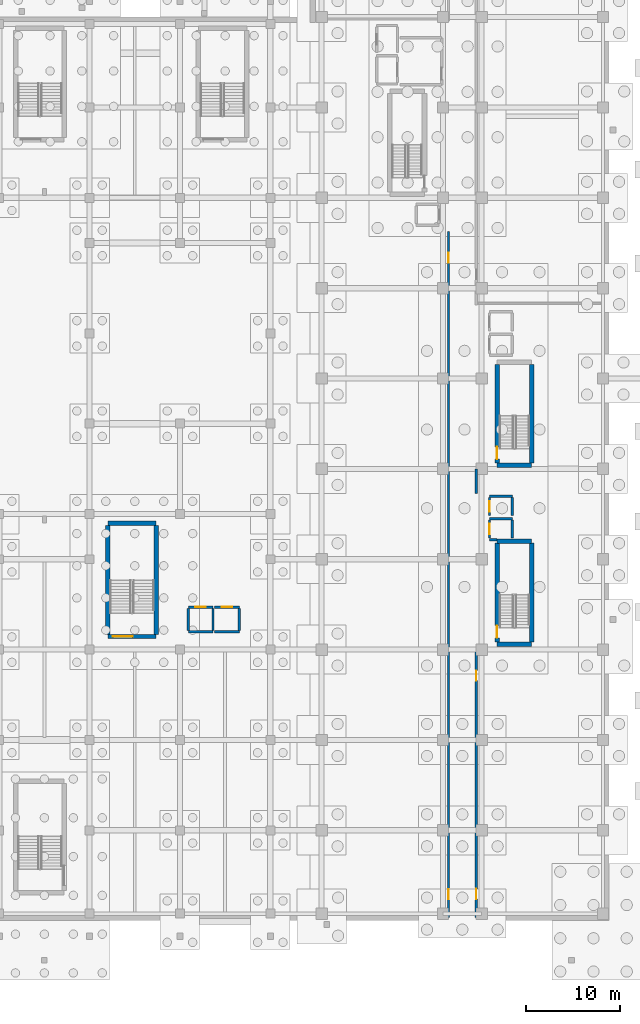
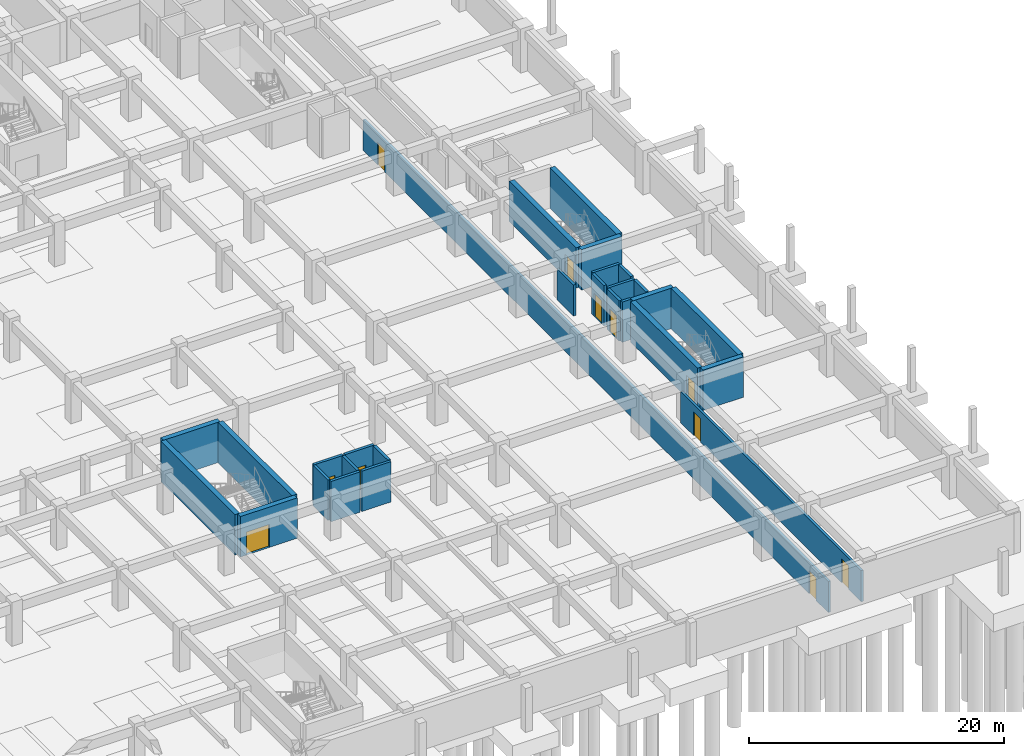
# One storey, part 20 of 39: 28 walls, 11 doors, 11 openings.
"""IFC4 building model written with IfcOpenShell, lengths in metres."""

from ifc_helpers import new_model, si_unit, direction, frame, frame_2d, origin, place, context, subcontext, project, spatial, rectangle, extrude, material, layer, layer_set, type_object, element, fill, save


model = new_model("IFC4")

# Units and contexts
model_context = context("Model", 3, precision=1e-05, world=origin(), true_north=direction((0.0, 1.0)))
body_context = subcontext(model_context, "Body", "Model", "MODEL_VIEW")
ifc_project = project(units=[si_unit("LENGTHUNIT", "METRE"), si_unit("AREAUNIT", "SQUARE_METRE"), si_unit("VOLUMEUNIT", "CUBIC_METRE"), si_unit("PLANEANGLEUNIT", "RADIAN"), si_unit("MASSUNIT", "GRAM", prefix="KILO")], contexts=[model_context])

# Site, building, storey
site_placement = place(None, origin())
site = spatial("IfcSite", under=ifc_project, at=site_placement, CompositionType="ELEMENT")
building_placement = place(site_placement, origin())
building = spatial("IfcBuilding", under=site, at=building_placement, Name="Nakhvara Creek Congress Hotel", CompositionType="ELEMENT")
storey_placement = place(building_placement, frame((0.0, 0.0, -8.39990234375)))
storey = spatial("IfcBuildingStorey", under=building, at=storey_placement, Name="B2", CompositionType="ELEMENT", Elevation=-8.39990234375)

# Walls
ifc_material_1 = material(Name="Concrete C50/60", Category="concrete")
ifc_layer_1 = layer(ifc_material_1, 0.449951171875)
ifc_layer_set_1 = layer_set([ifc_layer_1], Name="Concrete C50/60")
wall_type_1 = type_object("IfcWallType", Name="W-CORE-450", PredefinedType="SHEAR", material=ifc_layer_set_1)
for number, where, z_axis, x_axis, name in (
    (1, (168.10009765625, 29.3798828125, 0.0), (0.0, 0.0, 1.0), (1.0, 0.0, 0.0), "Core Shear Wall WS02-CWALL-B2-0534"),
    (2, (168.10009765625, 40.320068359375, 0.0), (0.0, 0.0, 1.0), (1.0, 0.0, 0.0), "Core Shear Wall WS02-CWALL-B2-0535"),
):
    element("IfcWall", number, at=place(storey_placement, frame(where, z_axis=z_axis, x_axis=x_axis)), inside=storey, type_object=wall_type_1, Name=name, PredefinedType="SHEAR", context=body_context, shape_type="SweptSolid", body=[
        extrude(rectangle(XDim=3.669921875, YDim=0.449951171875, at=frame_2d((1.8349609375, 0.0))), origin(), (0.0, 0.0, 1.0), 3.85986328125),
    ])

# Wall, opening, door
wall_1_placement = place(storey_placement, frame((168.10009765625, 29.60009765625, 0.0), z_axis=(0.0, 0.0, 1.0), x_axis=(0.0, 1.0, 0.0)))
wall_1 = element("IfcWall", 3, at=wall_1_placement, inside=storey, type_object=wall_type_1, Name="Core Shear Wall WS02-CWALL-B2-0536", PredefinedType="SHEAR", context=body_context, shape_type="SweptSolid", body=[
    extrude(rectangle(XDim=10.5, YDim=0.449951171875, at=frame_2d((5.25, 0.0))), origin(), (0.0, 0.0, 1.0), 3.85986328125),
])
opening_1_placement = place(wall_1_placement, frame((0.449951171875, 0.0, 0.0)))
opening_1 = element("IfcOpeningElement", 4, at=opening_1_placement, cuts=wall_1, Name="Opening FD04", PredefinedType="OPENING", context=body_context, shape_type="SweptSolid", body=[
    extrude(rectangle(XDim=1.300048828125, YDim=2.14990234375, at=frame_2d((0.64990234375, 1.074951171875))), frame((0.0, 0.23681640625, 0.0), z_axis=(0.0, -1.0, 0.0), x_axis=(1.0, 0.0, 0.0)), (0.0, 0.0, 1.0), 0.473876953125),
])
ifc_material_2 = material(Name="Powder-coated steel fire door", Category="steel")
door_type_1 = type_object("IfcDoorType", Name="DT-STAIR-130", OperationType="NOTDEFINED", PredefinedType="DOOR", material=ifc_material_2)
door_1_placement = place(opening_1_placement, origin())
door_1 = element("IfcDoor", 5, at=door_1_placement, inside=storey, type_object=door_type_1, Name="Stair Exit Door ST03-B2", OperationType="SINGLE_SWING_LEFT", OverallHeight=2.14990234375, OverallWidth=1.300048828125, PredefinedType="DOOR", context=body_context, shape_type="SweptSolid", body=[
    extrude(rectangle(XDim=1.300048828125, YDim=2.14990234375, at=frame_2d((0.64990234375, 1.074951171875))), frame((0.0, 0.02490234375, 0.0), z_axis=(0.0, -1.0, 0.0), x_axis=(1.0, 0.0, 0.0)), (0.0, 0.0, 1.0), 0.050048828125),
])
fill(opening_1, door_1)

# Walls
wall_2_placement = place(storey_placement, frame((171.77001953125, 29.60009765625, 0.0), z_axis=(0.0, 0.0, 1.0), x_axis=(0.0, 1.0, 0.0)))
element("IfcWall", 6, at=wall_2_placement, inside=storey, type_object=wall_type_1, Name="Core Shear Wall WS02-CWALL-B2-0537", PredefinedType="SHEAR", context=body_context, shape_type="SweptSolid", body=[
    extrude(rectangle(XDim=10.5, YDim=0.449951171875, at=frame_2d((5.25, 0.0))), origin(), (0.0, 0.0, 1.0), 3.85986328125),
])
wall_3_placement = place(storey_placement, frame((168.10009765625, 48.3798828125, 0.0), z_axis=(0.0, 0.0, 1.0), x_axis=(1.0, 0.0, 0.0)))
element("IfcWall", 7, at=wall_3_placement, inside=storey, type_object=wall_type_1, Name="Core Shear Wall WS02-CWALL-B2-0621", PredefinedType="SHEAR", context=body_context, shape_type="SweptSolid", body=[
    extrude(rectangle(XDim=3.669921875, YDim=0.449951171875, at=frame_2d((1.8349609375, 0.0))), origin(), (0.0, 0.0, 1.0), 3.85986328125),
])

# Wall, opening, door
wall_4_placement = place(storey_placement, frame((168.10009765625, 48.60009765625, 0.0), z_axis=(0.0, 0.0, 1.0), x_axis=(0.0, 1.0, 0.0)))
wall_4 = element("IfcWall", 8, at=wall_4_placement, inside=storey, type_object=wall_type_1, Name="Core Shear Wall WS02-CWALL-B2-0623", PredefinedType="SHEAR", context=body_context, shape_type="SweptSolid", body=[
    extrude(rectangle(XDim=10.5, YDim=0.449951171875, at=frame_2d((5.25, 0.0))), origin(), (0.0, 0.0, 1.0), 3.85986328125),
])
opening_2_placement = place(wall_4_placement, frame((0.449951171875, 0.0, 0.0)))
opening_2 = element("IfcOpeningElement", 9, at=opening_2_placement, cuts=wall_4, Name="Opening FD04", PredefinedType="OPENING", context=body_context, shape_type="SweptSolid", body=[
    extrude(rectangle(XDim=1.300048828125, YDim=2.14990234375, at=frame_2d((0.64990234375, 1.074951171875))), frame((0.0, 0.23681640625, 0.0), z_axis=(0.0, -1.0, 0.0), x_axis=(1.0, 0.0, 0.0)), (0.0, 0.0, 1.0), 0.473876953125),
])
door_2_placement = place(opening_2_placement, origin())
door_2 = element("IfcDoor", 10, at=door_2_placement, inside=storey, type_object=door_type_1, Name="Stair Exit Door ST04-B2", OperationType="SINGLE_SWING_LEFT", OverallHeight=2.14990234375, OverallWidth=1.300048828125, PredefinedType="DOOR", context=body_context, shape_type="SweptSolid", body=[
    extrude(rectangle(XDim=1.300048828125, YDim=2.14990234375, at=frame_2d((0.64990234375, 1.074951171875))), frame((0.0, 0.02490234375, 0.0), z_axis=(0.0, -1.0, 0.0), x_axis=(1.0, 0.0, 0.0)), (0.0, 0.0, 1.0), 0.050048828125),
])
fill(opening_2, door_2)

# Wall
wall_5_placement = place(storey_placement, frame((171.77001953125, 48.60009765625, 0.0), z_axis=(0.0, 0.0, 1.0), x_axis=(0.0, 1.0, 0.0)))
element("IfcWall", 11, at=wall_5_placement, inside=storey, type_object=wall_type_1, Name="Core Shear Wall WS02-CWALL-B2-0624", PredefinedType="SHEAR", context=body_context, shape_type="SweptSolid", body=[
    extrude(rectangle(XDim=10.5, YDim=0.449951171875, at=frame_2d((5.25, 0.0))), origin(), (0.0, 0.0, 1.0), 3.85986328125),
])

# Wall, opening, door
wall_6_placement = place(storey_placement, frame((126.72998046875, 30.179931640625, 0.0), z_axis=(0.0, 0.0, 1.0), x_axis=(1.0, 0.0, 0.0)))
wall_6 = element("IfcWall", 12, at=wall_6_placement, inside=storey, type_object=wall_type_1, Name="Core Shear Wall WS02-CWALL-B2-0781", PredefinedType="SHEAR", context=body_context, shape_type="SweptSolid", body=[
    extrude(rectangle(XDim=5.14990234375, YDim=0.449951171875, at=frame_2d((2.574951171875, 0.0))), origin(), (0.0, 0.0, 1.0), 3.85986328125),
])
opening_3_placement = place(wall_6_placement, frame((0.550048828125, 0.0, 0.0)))
opening_3 = element("IfcOpeningElement", 13, at=opening_3_placement, cuts=wall_6, Name="Opening FD19", PredefinedType="OPENING", context=body_context, shape_type="SweptSolid", body=[
    extrude(rectangle(XDim=2.10009765625, YDim=2.199951171875, at=frame_2d((1.050048828125, 1.10009765625))), frame((0.0, 0.23681640625, 0.0), z_axis=(0.0, -1.0, 0.0), x_axis=(1.0, 0.0, 0.0)), (0.0, 0.0, 1.0), 0.473876953125),
])
ifc_material_3 = material(Name="Galvanised steel acoustic fire door", Category="steel")
door_type_2 = type_object("IfcDoorType", Name="DT-STAIR-220", OperationType="DOUBLE_DOOR_SINGLE_SWING", PredefinedType="DOOR", material=ifc_material_3)
door_3_placement = place(opening_3_placement, frame((2.10009765625, 0.0, 0.0), z_axis=(0.0, 0.0, 1.0), x_axis=(-1.0, 0.0, 0.0)))
door_3 = element("IfcDoor", 14, at=door_3_placement, inside=storey, type_object=door_type_2, Name="Stair Exit Door ST06-B2", OperationType="DOUBLE_DOOR_SINGLE_SWING", OverallHeight=2.199951171875, OverallWidth=2.10009765625, PredefinedType="DOOR", context=body_context, shape_type="SweptSolid", body=[
    extrude(rectangle(XDim=2.10009765625, YDim=2.199951171875, at=frame_2d((1.050048828125, 1.10009765625))), frame((0.0, 0.02490234375, 0.0), z_axis=(0.0, -1.0, 0.0), x_axis=(1.0, 0.0, 0.0)), (0.0, 0.0, 1.0), 0.050048828125),
])
fill(opening_3, door_3)

# Walls
wall_7_placement = place(storey_placement, frame((126.72998046875, 42.219970703125, 0.0), z_axis=(0.0, 0.0, 1.0), x_axis=(1.0, 0.0, 0.0)))
element("IfcWall", 15, at=wall_7_placement, inside=storey, type_object=wall_type_1, Name="Core Shear Wall WS02-CWALL-B2-0782", PredefinedType="SHEAR", context=body_context, shape_type="SweptSolid", body=[
    extrude(rectangle(XDim=5.14990234375, YDim=0.449951171875, at=frame_2d((2.574951171875, 0.0))), origin(), (0.0, 0.0, 1.0), 3.85986328125),
])
for number, where, z_axis, x_axis, name in (
    (16, (126.72998046875, 30.39990234375, 0.0), (0.0, 0.0, 1.0), (0.0, 1.0, 0.0), "Core Shear Wall WS02-CWALL-B2-0783"),
    (17, (131.8798828125, 30.39990234375, 0.0), (0.0, 0.0, 1.0), (0.0, 1.0, 0.0), "Core Shear Wall WS02-CWALL-B2-0784"),
):
    element("IfcWall", number, at=place(storey_placement, frame(where, z_axis=z_axis, x_axis=x_axis)), inside=storey, type_object=wall_type_1, Name=name, PredefinedType="SHEAR", context=body_context, shape_type="SweptSolid", body=[
        extrude(rectangle(XDim=11.60009765625, YDim=0.449951171875, at=frame_2d((5.800048828125, 0.0))), origin(), (0.0, 0.0, 1.0), 3.85986328125),
    ])

# Wall, openings, doors
ifc_material_4 = material(Name="Gypsum acoustic board on steel stud", Category="steel")
ifc_layer_2 = layer(ifc_material_4, 0.219970703125)
ifc_layer_set_2 = layer_set([ifc_layer_2], Name="Gypsum acoustic board on steel stud")
wall_type_2 = type_object("IfcWallType", Name="W-CORR-220", PredefinedType="PARTITIONING", material=ifc_layer_set_2)
wall_8_placement = place(storey_placement, frame((162.919921875, 0.35009765625, 0.0), z_axis=(0.0, 0.0, 1.0), x_axis=(0.0, 1.0, 0.0)))
wall_8 = element("IfcWall", 18, at=wall_8_placement, inside=storey, type_object=wall_type_2, Name="Interior Wall WP11-IW-B2-0027", PredefinedType="PARTITIONING", context=body_context, shape_type="SweptSolid", body=[
    extrude(rectangle(XDim=72.849853515625, YDim=0.219970703125, at=frame_2d((36.4248046875, 0.0))), origin(), (0.0, 0.0, 1.0), 2.971923828125),
])
opening_4_placement = place(wall_8_placement, frame((1.949951171875, 0.0, 0.0)))
opening_4 = element("IfcOpeningElement", 19, at=opening_4_placement, cuts=wall_8, Name="Opening ID04", PredefinedType="OPENING", context=body_context, shape_type="SweptSolid", body=[
    extrude(rectangle(XDim=1.050048828125, YDim=2.179931640625, at=frame_2d((0.52490234375, 1.08984375))), frame((0.0, 0.1220703125, 0.0), z_axis=(0.0, -1.0, 0.0), x_axis=(1.0, 0.0, 0.0)), (0.0, 0.0, 1.0), 0.243896484375),
])
opening_5_placement = place(wall_8_placement, frame((69.550048828125, 0.0, 0.0)))
opening_5 = element("IfcOpeningElement", 20, at=opening_5_placement, cuts=wall_8, Name="Opening ID04", PredefinedType="OPENING", context=body_context, shape_type="SweptSolid", body=[
    extrude(rectangle(XDim=1.050048828125, YDim=2.179931640625, at=frame_2d((0.52490234375, 1.08984375))), frame((0.0, 0.1220703125, 0.0), z_axis=(0.0, -1.0, 0.0), x_axis=(1.0, 0.0, 0.0)), (0.0, 0.0, 1.0), 0.243896484375),
])
ifc_material_5 = material(Name="Teak timber & frosted glass spa door", Category="wood")
door_type_3 = type_object("IfcDoorType", Name="DT-SPA-105", OperationType="NOTDEFINED", PredefinedType="DOOR", material=ifc_material_5)
door_4_placement = place(opening_4_placement, frame((1.050048828125, 0.0, 0.0), z_axis=(0.0, 0.0, 1.0), x_axis=(-1.0, 0.0, 0.0)))
door_4 = element("IfcDoor", 21, at=door_4_placement, inside=storey, type_object=door_type_3, Name="Interior Door ID04-0033", OperationType="SINGLE_SWING_RIGHT", OverallHeight=2.179931640625, OverallWidth=1.050048828125, PredefinedType="DOOR", context=body_context, shape_type="SweptSolid", body=[
    extrude(rectangle(XDim=1.050048828125, YDim=2.179931640625, at=frame_2d((0.52490234375, 1.08984375))), frame((0.0, 0.02490234375, 0.0), z_axis=(0.0, -1.0, 0.0), x_axis=(1.0, 0.0, 0.0)), (0.0, 0.0, 1.0), 0.050048828125),
])
fill(opening_4, door_4)
door_5_placement = place(opening_5_placement, frame((1.050048828125, 0.0, 0.0), z_axis=(0.0, 0.0, 1.0), x_axis=(-1.0, 0.0, 0.0)))
door_5 = element("IfcDoor", 22, at=door_5_placement, inside=storey, type_object=door_type_3, Name="Interior Door ID04-0034", OperationType="SINGLE_SWING_LEFT", OverallHeight=2.179931640625, OverallWidth=1.050048828125, PredefinedType="DOOR", context=body_context, shape_type="SweptSolid", body=[
    extrude(rectangle(XDim=1.050048828125, YDim=2.179931640625, at=frame_2d((0.52490234375, 1.08984375))), frame((0.0, 0.02490234375, 0.0), z_axis=(0.0, -1.0, 0.0), x_axis=(1.0, 0.0, 0.0)), (0.0, 0.0, 1.0), 0.050048828125),
])
fill(opening_5, door_5)

wall_9_placement = place(storey_placement, frame((165.8798828125, 0.35009765625, 0.0), z_axis=(0.0, 0.0, 1.0), x_axis=(0.0, 1.0, 0.0)))
wall_9 = element("IfcWall", 23, at=wall_9_placement, inside=storey, type_object=wall_type_2, Name="Interior Wall WP11-IW-B2-0030", PredefinedType="PARTITIONING", context=body_context, shape_type="SweptSolid", body=[
    extrude(rectangle(XDim=28.25, YDim=0.219970703125, at=frame_2d((14.125, 0.0))), origin(), (0.0, 0.0, 1.0), 2.971923828125),
])
opening_6_placement = place(wall_9_placement, frame((1.949951171875, 0.0, 0.0)))
opening_6 = element("IfcOpeningElement", 24, at=opening_6_placement, cuts=wall_9, Name="Opening GD02", PredefinedType="OPENING", context=body_context, shape_type="SweptSolid", body=[
    extrude(rectangle(XDim=1.080078125, YDim=2.25, at=frame_2d((0.5400390625, 1.125))), frame((0.0, 0.1220703125, 0.0), z_axis=(0.0, -1.0, 0.0), x_axis=(1.0, 0.0, 0.0)), (0.0, 0.0, 1.0), 0.243896484375),
])
opening_7_placement = place(wall_9_placement, frame((25.14990234375, 0.0, 0.0)))
opening_7 = element("IfcOpeningElement", 25, at=opening_7_placement, cuts=wall_9, Name="Opening GD02", PredefinedType="OPENING", context=body_context, shape_type="SweptSolid", body=[
    extrude(rectangle(XDim=1.080078125, YDim=2.25, at=frame_2d((0.5400390625, 1.125))), frame((0.0, 0.1220703125, 0.0), z_axis=(0.0, -1.0, 0.0), x_axis=(1.0, 0.0, 0.0)), (0.0, 0.0, 1.0), 0.243896484375),
])
ifc_material_6 = material(Name="Walnut hardwood timber fire door", Category="wood")
door_type_4 = type_object("IfcDoorType", Name="DT-GUEST-108", OperationType="NOTDEFINED", PredefinedType="DOOR", material=ifc_material_6)
door_6_placement = place(opening_6_placement, origin())
door_6 = element("IfcDoor", 26, at=door_6_placement, inside=storey, type_object=door_type_4, Name="Interior Door GD02-0035", OperationType="SINGLE_SWING_RIGHT", OverallHeight=2.25, OverallWidth=1.080078125, PredefinedType="DOOR", context=body_context, shape_type="SweptSolid", body=[
    extrude(rectangle(XDim=1.080078125, YDim=2.25, at=frame_2d((0.5400390625, 1.125))), frame((0.0, 0.02490234375, 0.0), z_axis=(0.0, -1.0, 0.0), x_axis=(1.0, 0.0, 0.0)), (0.0, 0.0, 1.0), 0.050048828125),
])
fill(opening_6, door_6)
door_7_placement = place(opening_7_placement, origin())
door_7 = element("IfcDoor", 27, at=door_7_placement, inside=storey, type_object=door_type_4, Name="Interior Door GD02-0036", OperationType="SINGLE_SWING_LEFT", OverallHeight=2.25, OverallWidth=1.080078125, PredefinedType="DOOR", context=body_context, shape_type="SweptSolid", body=[
    extrude(rectangle(XDim=1.080078125, YDim=2.25, at=frame_2d((0.5400390625, 1.125))), frame((0.0, 0.02490234375, 0.0), z_axis=(0.0, -1.0, 0.0), x_axis=(1.0, 0.0, 0.0)), (0.0, 0.0, 1.0), 0.050048828125),
])
fill(opening_7, door_7)

# Walls
wall_10_placement = place(storey_placement, frame((165.8798828125, 45.39990234375, 0.0), z_axis=(0.0, 0.0, 1.0), x_axis=(0.0, 1.0, 0.0)))
element("IfcWall", 28, at=wall_10_placement, inside=storey, type_object=wall_type_2, Name="Interior Wall WP11-IW-B2-0031", PredefinedType="PARTITIONING", context=body_context, shape_type="SweptSolid", body=[
    extrude(rectangle(XDim=2.60009765625, YDim=0.219970703125, at=frame_2d((1.300048828125, 0.0))), origin(), (0.0, 0.0, 1.0), 2.971923828125),
])
ifc_material_7 = material(Name="Concrete C40/50", Category="concrete")
ifc_layer_3 = layer(ifc_material_7, 0.25)
ifc_layer_set_3 = layer_set([ifc_layer_3], Name="Concrete C40/50")
wall_type_3 = type_object("IfcWallType", Name="W-SHAFT-250", PredefinedType="SOLIDWALL", material=ifc_layer_set_3)
wall_11_placement = place(storey_placement, frame((167.2900390625, 40.489990234375, 0.0), z_axis=(0.0, 0.0, 1.0), x_axis=(1.0, 0.0, 0.0)))
element("IfcWall", 29, at=wall_11_placement, inside=storey, type_object=wall_type_3, Name="Core Shear Wall WI02-CWALL-B2-0538", PredefinedType="SOLIDWALL", context=body_context, shape_type="SweptSolid", body=[
    extrude(rectangle(XDim=0.800048828125, YDim=0.25, at=frame_2d((0.39990234375, 0.0))), origin(), (0.0, 0.0, 1.0), 3.85986328125),
])
wall_12_placement = place(storey_placement, frame((167.2900390625, 42.7099609375, 0.0), z_axis=(0.0, 0.0, 1.0), x_axis=(1.0, 0.0, 0.0)))
element("IfcWall", 30, at=wall_12_placement, inside=storey, type_object=wall_type_3, Name="Core Shear Wall WI02-CWALL-B2-0539", PredefinedType="SOLIDWALL", context=body_context, shape_type="SweptSolid", body=[
    extrude(rectangle(XDim=2.419921875, YDim=0.25, at=frame_2d((1.2099609375, 0.0))), origin(), (0.0, 0.0, 1.0), 3.85986328125),
])

# Wall, opening, door
wall_13_placement = place(storey_placement, frame((167.2900390625, 40.64990234375, 0.0), z_axis=(0.0, 0.0, 1.0), x_axis=(0.0, 1.0, 0.0)))
wall_13 = element("IfcWall", 31, at=wall_13_placement, inside=storey, type_object=wall_type_3, Name="Core Shear Wall WI02-CWALL-B2-0540", PredefinedType="SOLIDWALL", context=body_context, shape_type="SweptSolid", body=[
    extrude(rectangle(XDim=1.900146484375, YDim=0.25, at=frame_2d((0.9501953125, 0.0))), origin(), (0.0, 0.0, 1.0), 3.85986328125),
])
opening_8_placement = place(wall_13_placement, frame((0.39990234375, 0.0, 0.0)))
opening_8 = element("IfcOpeningElement", 32, at=opening_8_placement, cuts=wall_13, Name="Opening LD01", PredefinedType="OPENING", context=body_context, shape_type="SweptSolid", body=[
    extrude(rectangle(XDim=1.10009765625, YDim=2.199951171875, at=frame_2d((0.550048828125, 1.10009765625))), frame((0.0, 0.136962890625, 0.0), z_axis=(0.0, -1.0, 0.0), x_axis=(1.0, 0.0, 0.0)), (0.0, 0.0, 1.0), 0.27392578125),
])
ifc_material_8 = material(Name="Brushed stainless steel sliding landing door", Category="steel")
door_type_5 = type_object("IfcDoorType", Name="DT-LIFT-110", OperationType="DOUBLE_DOOR_SLIDING", PredefinedType="DOOR", material=ifc_material_8)
door_8_placement = place(opening_8_placement, origin())
door_8 = element("IfcDoor", 33, at=door_8_placement, inside=storey, type_object=door_type_5, Name="Landing Door PL03-B2", OperationType="SLIDING_TO_LEFT", OverallHeight=2.199951171875, OverallWidth=1.10009765625, PredefinedType="DOOR", context=body_context, shape_type="SweptSolid", body=[
    extrude(rectangle(XDim=1.10009765625, YDim=2.199951171875, at=frame_2d((0.550048828125, 1.10009765625))), frame((0.0, 0.02490234375, 0.0), z_axis=(0.0, -1.0, 0.0), x_axis=(1.0, 0.0, 0.0)), (0.0, 0.0, 1.0), 0.050048828125),
])
fill(opening_8, door_8)

# Walls
wall_14_placement = place(storey_placement, frame((169.7099609375, 40.64990234375, 0.0), z_axis=(0.0, 0.0, 1.0), x_axis=(0.0, 1.0, 0.0)))
element("IfcWall", 34, at=wall_14_placement, inside=storey, type_object=wall_type_3, Name="Core Shear Wall WI02-CWALL-B2-0541", PredefinedType="SOLIDWALL", context=body_context, shape_type="SweptSolid", body=[
    extrude(rectangle(XDim=1.900146484375, YDim=0.25, at=frame_2d((0.9501953125, 0.0))), origin(), (0.0, 0.0, 1.0), 3.85986328125),
])
wall_15_placement = place(storey_placement, frame((167.2900390625, 45.110107421875, 0.0), z_axis=(0.0, 0.0, 1.0), x_axis=(1.0, 0.0, 0.0)))
element("IfcWall", 35, at=wall_15_placement, inside=storey, type_object=wall_type_3, Name="Core Shear Wall WI02-CWALL-B2-0542", PredefinedType="SOLIDWALL", context=body_context, shape_type="SweptSolid", body=[
    extrude(rectangle(XDim=2.419921875, YDim=0.25, at=frame_2d((1.2099609375, 0.0))), origin(), (0.0, 0.0, 1.0), 3.85986328125),
])

# Wall, opening, door
wall_16_placement = place(storey_placement, frame((167.2900390625, 43.050048828125, 0.0), z_axis=(0.0, 0.0, 1.0), x_axis=(0.0, 1.0, 0.0)))
wall_16 = element("IfcWall", 36, at=wall_16_placement, inside=storey, type_object=wall_type_3, Name="Core Shear Wall WI02-CWALL-B2-0543", PredefinedType="SOLIDWALL", context=body_context, shape_type="SweptSolid", body=[
    extrude(rectangle(XDim=1.89990234375, YDim=0.25, at=frame_2d((0.949951171875, 0.0))), origin(), (0.0, 0.0, 1.0), 3.85986328125),
])
opening_9_placement = place(wall_16_placement, frame((0.39990234375, 0.0, 0.0)))
opening_9 = element("IfcOpeningElement", 37, at=opening_9_placement, cuts=wall_16, Name="Opening LD01", PredefinedType="OPENING", context=body_context, shape_type="SweptSolid", body=[
    extrude(rectangle(XDim=1.10009765625, YDim=2.199951171875, at=frame_2d((0.550048828125, 1.10009765625))), frame((0.0, 0.136962890625, 0.0), z_axis=(0.0, -1.0, 0.0), x_axis=(1.0, 0.0, 0.0)), (0.0, 0.0, 1.0), 0.27392578125),
])
door_9_placement = place(opening_9_placement, origin())
door_9 = element("IfcDoor", 38, at=door_9_placement, inside=storey, type_object=door_type_5, Name="Landing Door PL04-B2", OperationType="SLIDING_TO_LEFT", OverallHeight=2.199951171875, OverallWidth=1.10009765625, PredefinedType="DOOR", context=body_context, shape_type="SweptSolid", body=[
    extrude(rectangle(XDim=1.10009765625, YDim=2.199951171875, at=frame_2d((0.550048828125, 1.10009765625))), frame((0.0, 0.02490234375, 0.0), z_axis=(0.0, -1.0, 0.0), x_axis=(1.0, 0.0, 0.0)), (0.0, 0.0, 1.0), 0.050048828125),
])
fill(opening_9, door_9)

# Walls
wall_17_placement = place(storey_placement, frame((169.7099609375, 43.050048828125, 0.0), z_axis=(0.0, 0.0, 1.0), x_axis=(0.0, 1.0, 0.0)))
element("IfcWall", 39, at=wall_17_placement, inside=storey, type_object=wall_type_3, Name="Core Shear Wall WI02-CWALL-B2-0544", PredefinedType="SOLIDWALL", context=body_context, shape_type="SweptSolid", body=[
    extrude(rectangle(XDim=1.89990234375, YDim=0.25, at=frame_2d((0.949951171875, 0.0))), origin(), (0.0, 0.0, 1.0), 3.85986328125),
])
wall_18_placement = place(storey_placement, frame((135.2900390625, 30.68994140625, 0.0), z_axis=(0.0, 0.0, 1.0), x_axis=(1.0, 0.0, 0.0)))
element("IfcWall", 40, at=wall_18_placement, inside=storey, type_object=wall_type_3, Name="Core Shear Wall WI02-CWALL-B2-0785", PredefinedType="SOLIDWALL", context=body_context, shape_type="SweptSolid", body=[
    extrude(rectangle(XDim=2.619873046875, YDim=0.25, at=frame_2d((1.31005859375, 0.0))), origin(), (0.0, 0.0, 1.0), 3.85986328125),
])

# Wall, opening, door
wall_19_placement = place(storey_placement, frame((135.2900390625, 33.31005859375, 0.0), z_axis=(0.0, 0.0, 1.0), x_axis=(1.0, 0.0, 0.0)))
wall_19 = element("IfcWall", 41, at=wall_19_placement, inside=storey, type_object=wall_type_3, Name="Core Shear Wall WI02-CWALL-B2-0786", PredefinedType="SOLIDWALL", context=body_context, shape_type="SweptSolid", body=[
    extrude(rectangle(XDim=2.619873046875, YDim=0.25, at=frame_2d((1.31005859375, 0.0))), origin(), (0.0, 0.0, 1.0), 3.85986328125),
])
opening_10_placement = place(wall_19_placement, frame((0.760009765625, 0.0, 0.0)))
opening_10 = element("IfcOpeningElement", 42, at=opening_10_placement, cuts=wall_19, Name="Opening LD01", PredefinedType="OPENING", context=body_context, shape_type="SweptSolid", body=[
    extrude(rectangle(XDim=1.10009765625, YDim=2.199951171875, at=frame_2d((0.550048828125, 1.10009765625))), frame((0.0, 0.136962890625, 0.0), z_axis=(0.0, -1.0, 0.0), x_axis=(1.0, 0.0, 0.0)), (0.0, 0.0, 1.0), 0.27392578125),
])
door_10_placement = place(opening_10_placement, origin())
door_10 = element("IfcDoor", 43, at=door_10_placement, inside=storey, type_object=door_type_5, Name="Landing Door CL03-B2", OperationType="SLIDING_TO_LEFT", OverallHeight=2.199951171875, OverallWidth=1.10009765625, PredefinedType="DOOR", context=body_context, shape_type="SweptSolid", body=[
    extrude(rectangle(XDim=1.10009765625, YDim=2.199951171875, at=frame_2d((0.550048828125, 1.10009765625))), frame((0.0, 0.02490234375, 0.0), z_axis=(0.0, -1.0, 0.0), x_axis=(1.0, 0.0, 0.0)), (0.0, 0.0, 1.0), 0.050048828125),
])
fill(opening_10, door_10)

# Walls
for number, where, z_axis, x_axis, name in (
    (44, (135.2900390625, 30.85009765625, 0.0), (0.0, 0.0, 1.0), (0.0, 1.0, 0.0), "Core Shear Wall WI02-CWALL-B2-0787"),
    (45, (137.909912109375, 30.85009765625, 0.0), (0.0, 0.0, 1.0), (0.0, 1.0, 0.0), "Core Shear Wall WI02-CWALL-B2-0788"),
):
    element("IfcWall", number, at=place(storey_placement, frame(where, z_axis=z_axis, x_axis=x_axis)), inside=storey, type_object=wall_type_3, Name=name, PredefinedType="SOLIDWALL", context=body_context, shape_type="SweptSolid", body=[
        extrude(rectangle(XDim=2.2998046875, YDim=0.25, at=frame_2d((1.14990234375, 0.0))), origin(), (0.0, 0.0, 1.0), 3.85986328125),
    ])
wall_20_placement = place(storey_placement, frame((138.090087890625, 30.68994140625, 0.0), z_axis=(0.0, 0.0, 1.0), x_axis=(1.0, 0.0, 0.0)))
element("IfcWall", 46, at=wall_20_placement, inside=storey, type_object=wall_type_3, Name="Core Shear Wall WI02-CWALL-B2-0789", PredefinedType="SOLIDWALL", context=body_context, shape_type="SweptSolid", body=[
    extrude(rectangle(XDim=2.619873046875, YDim=0.25, at=frame_2d((1.31005859375, 0.0))), origin(), (0.0, 0.0, 1.0), 3.85986328125),
])

# Wall, opening, door
wall_21_placement = place(storey_placement, frame((138.090087890625, 33.31005859375, 0.0), z_axis=(0.0, 0.0, 1.0), x_axis=(1.0, 0.0, 0.0)))
wall_21 = element("IfcWall", 47, at=wall_21_placement, inside=storey, type_object=wall_type_3, Name="Core Shear Wall WI02-CWALL-B2-0790", PredefinedType="SOLIDWALL", context=body_context, shape_type="SweptSolid", body=[
    extrude(rectangle(XDim=2.619873046875, YDim=0.25, at=frame_2d((1.31005859375, 0.0))), origin(), (0.0, 0.0, 1.0), 3.85986328125),
])
opening_11_placement = place(wall_21_placement, frame((0.760009765625, 0.0, 0.0)))
opening_11 = element("IfcOpeningElement", 48, at=opening_11_placement, cuts=wall_21, Name="Opening LD01", PredefinedType="OPENING", context=body_context, shape_type="SweptSolid", body=[
    extrude(rectangle(XDim=1.10009765625, YDim=2.199951171875, at=frame_2d((0.550048828125, 1.10009765625))), frame((0.0, 0.136962890625, 0.0), z_axis=(0.0, -1.0, 0.0), x_axis=(1.0, 0.0, 0.0)), (0.0, 0.0, 1.0), 0.27392578125),
])
door_11_placement = place(opening_11_placement, origin())
door_11 = element("IfcDoor", 49, at=door_11_placement, inside=storey, type_object=door_type_5, Name="Landing Door CL04-B2", OperationType="SLIDING_TO_LEFT", OverallHeight=2.199951171875, OverallWidth=1.10009765625, PredefinedType="DOOR", context=body_context, shape_type="SweptSolid", body=[
    extrude(rectangle(XDim=1.10009765625, YDim=2.199951171875, at=frame_2d((0.550048828125, 1.10009765625))), frame((0.0, 0.02490234375, 0.0), z_axis=(0.0, -1.0, 0.0), x_axis=(1.0, 0.0, 0.0)), (0.0, 0.0, 1.0), 0.050048828125),
])
fill(opening_11, door_11)

# Wall
wall_22_placement = place(storey_placement, frame((140.7099609375, 30.85009765625, 0.0), z_axis=(0.0, 0.0, 1.0), x_axis=(0.0, 1.0, 0.0)))
element("IfcWall", 50, at=wall_22_placement, inside=storey, type_object=wall_type_3, Name="Core Shear Wall WI02-CWALL-B2-0791", PredefinedType="SOLIDWALL", context=body_context, shape_type="SweptSolid", body=[
    extrude(rectangle(XDim=2.2998046875, YDim=0.25, at=frame_2d((1.14990234375, 0.0))), origin(), (0.0, 0.0, 1.0), 3.85986328125),
])

save(model, "model.ifc")
